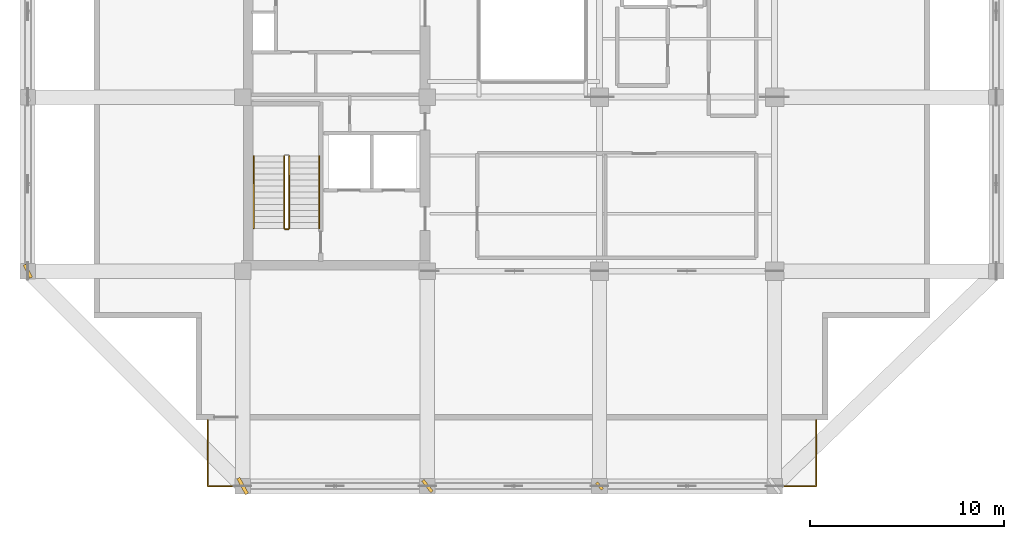
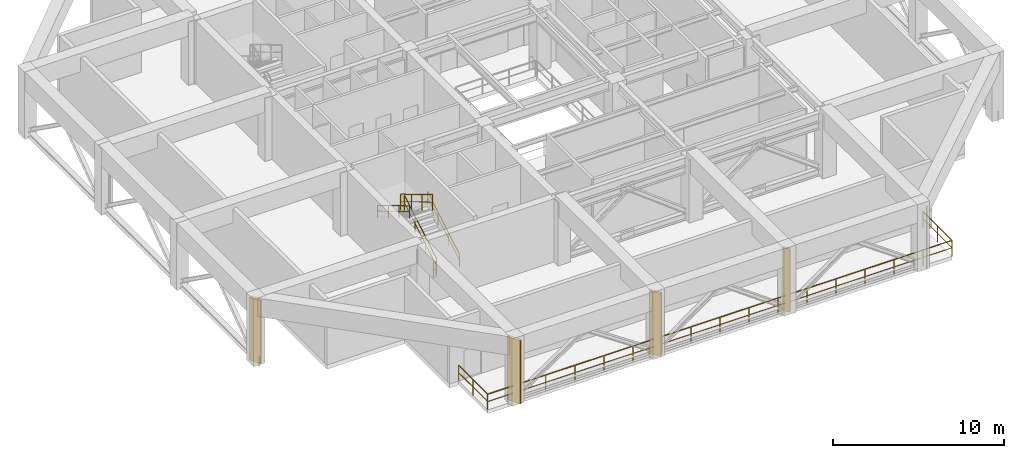
# One storey, part 7 of 10: 6 railings, 4 shading devices.
"""IFC4 building model written with IfcOpenShell, lengths in metres."""

from ifc_helpers import new_model, si_unit, direction, frame, origin, origin_2d, place, context, subcontext, project, spatial, rectangle, extrude, material, type_object, element, save


model = new_model("IFC4")

# Units and contexts
model_context = context("Model", 3, precision=1e-05, world=origin(), true_north=direction((0.0, 1.0)))
body_context = subcontext(model_context, "Body", "Model", "MODEL_VIEW")
ifc_project = project(units=[si_unit("LENGTHUNIT", "METRE"), si_unit("AREAUNIT", "SQUARE_METRE"), si_unit("VOLUMEUNIT", "CUBIC_METRE"), si_unit("PLANEANGLEUNIT", "RADIAN"), si_unit("MASSUNIT", "GRAM", prefix="KILO")], contexts=[model_context])

# Site, building, storey
site_placement = place(None, origin())
site = spatial("IfcSite", under=ifc_project, at=site_placement, CompositionType="ELEMENT")
building_placement = place(site_placement, origin())
building = spatial("IfcBuilding", under=site, at=building_placement, Name="Kundavana Baori Tower", CompositionType="ELEMENT")
storey_placement = place(building_placement, frame((0.0, 0.0, 204.10009765625)))
storey = spatial("IfcBuildingStorey", under=building, at=storey_placement, Name="L50", CompositionType="ELEMENT", Elevation=204.10009765625)

# Railings
ifc_material_1 = material(Name="Architectural Patinated Bronze Metalwork")
railing_type_1 = type_object("IfcRailingType", Name="RL-BAL-1150", PredefinedType="BALUSTRADE", material=ifc_material_1)
railing_1_placement = place(storey_placement, frame((44.949951171875, 7.60009765625, 0.0)))
element("IfcRailing", 1, at=railing_1_placement, inside=storey, type_object=railing_type_1, Name="L50 Sky Terrace Guard Balustrade S", PredefinedType="BALUSTRADE", context=body_context, shape_type="SweptSolid", body=[
    extrude(rectangle(XDim=0.048095703125, YDim=0.048095703125, at=origin_2d()), frame((0.0, 0.0, 1.1259765625), z_axis=(0.0, -1.0, 0.0), x_axis=(1.0, 0.0, 0.0)), (0.0, 0.0, 1.0), 3.400146484375),
    extrude(rectangle(XDim=0.03125, YDim=0.03125, at=origin_2d()), frame((0.0, 0.0, 0.597900390625), z_axis=(0.0, -1.0, 0.0), x_axis=(1.0, 0.0, 0.0)), (0.0, 0.0, 1.0), 3.400146484375),
    extrude(rectangle(XDim=0.048095703125, YDim=0.048095703125, at=origin_2d()), frame((0.0, -3.400146484375, 1.1259765625), z_axis=(-1.0, 0.0, 0.0), x_axis=(0.0, -1.0, 0.0)), (0.0, 0.0, 1.0), 31.300048828125),
    extrude(rectangle(XDim=0.03125, YDim=0.03125, at=origin_2d()), frame((0.0, -3.400146484375, 0.597900390625), z_axis=(-1.0, 0.0, 0.0), x_axis=(0.0, -1.0, 0.0)), (0.0, 0.0, 1.0), 31.300048828125),
    extrude(rectangle(XDim=0.048095703125, YDim=0.048095703125, at=origin_2d()), frame((-31.300048828125, -3.400146484375, 1.1259765625), z_axis=(0.0, 1.0, 0.0), x_axis=(-1.0, 0.0, 0.0)), (0.0, 0.0, 1.0), 3.400146484375),
    extrude(rectangle(XDim=0.03125, YDim=0.03125, at=origin_2d()), frame((-31.300048828125, -3.400146484375, 0.597900390625), z_axis=(0.0, 1.0, 0.0), x_axis=(-1.0, 0.0, 0.0)), (0.0, 0.0, 1.0), 3.400146484375),
    extrude(rectangle(XDim=0.0419921875, YDim=0.0419921875, at=origin_2d()), origin(), (0.0, 0.0, 1.0), 1.101806640625),
    extrude(rectangle(XDim=0.0419921875, YDim=0.0419921875, at=origin_2d()), frame((0.0, -1.7001953125, 0.0)), (0.0, 0.0, 1.0), 1.101806640625),
    extrude(rectangle(XDim=0.0419921875, YDim=0.0419921875, at=origin_2d()), frame((0.0, -3.400146484375, 0.0)), (0.0, 0.0, 1.0), 1.101806640625),
    extrude(rectangle(XDim=0.0419921875, YDim=0.0419921875, at=origin_2d()), frame((-1.956298828125, -3.400146484375, 0.0)), (0.0, 0.0, 1.0), 1.101806640625),
    extrude(rectangle(XDim=0.0419921875, YDim=0.0419921875, at=origin_2d()), frame((-3.91259765625, -3.400146484375, 0.0)), (0.0, 0.0, 1.0), 1.101806640625),
    extrude(rectangle(XDim=0.0419921875, YDim=0.0419921875, at=origin_2d()), frame((-5.86865234375, -3.400146484375, 0.0)), (0.0, 0.0, 1.0), 1.101806640625),
    extrude(rectangle(XDim=0.0419921875, YDim=0.0419921875, at=origin_2d()), frame((-7.824951171875, -3.400146484375, 0.0)), (0.0, 0.0, 1.0), 1.101806640625),
    extrude(rectangle(XDim=0.0419921875, YDim=0.0419921875, at=origin_2d()), frame((-9.78125, -3.400146484375, 0.0)), (0.0, 0.0, 1.0), 1.101806640625),
    extrude(rectangle(XDim=0.0419921875, YDim=0.0419921875, at=origin_2d()), frame((-11.737548828125, -3.400146484375, 0.0)), (0.0, 0.0, 1.0), 1.101806640625),
    extrude(rectangle(XDim=0.0419921875, YDim=0.0419921875, at=origin_2d()), frame((-13.69384765625, -3.400146484375, 0.0)), (0.0, 0.0, 1.0), 1.101806640625),
    extrude(rectangle(XDim=0.0419921875, YDim=0.0419921875, at=origin_2d()), frame((-15.64990234375, -3.400146484375, 0.0)), (0.0, 0.0, 1.0), 1.101806640625),
    extrude(rectangle(XDim=0.0419921875, YDim=0.0419921875, at=origin_2d()), frame((-17.606201171875, -3.400146484375, 0.0)), (0.0, 0.0, 1.0), 1.101806640625),
    extrude(rectangle(XDim=0.0419921875, YDim=0.0419921875, at=origin_2d()), frame((-19.5625, -3.400146484375, 0.0)), (0.0, 0.0, 1.0), 1.101806640625),
    extrude(rectangle(XDim=0.0419921875, YDim=0.0419921875, at=origin_2d()), frame((-21.518798828125, -3.400146484375, 0.0)), (0.0, 0.0, 1.0), 1.101806640625),
    extrude(rectangle(XDim=0.0419921875, YDim=0.0419921875, at=origin_2d()), frame((-23.47509765625, -3.400146484375, 0.0)), (0.0, 0.0, 1.0), 1.101806640625),
    extrude(rectangle(XDim=0.0419921875, YDim=0.0419921875, at=origin_2d()), frame((-25.431396484375, -3.400146484375, 0.0)), (0.0, 0.0, 1.0), 1.101806640625),
    extrude(rectangle(XDim=0.0419921875, YDim=0.0419921875, at=origin_2d()), frame((-27.387451171875, -3.400146484375, 0.0)), (0.0, 0.0, 1.0), 1.101806640625),
    extrude(rectangle(XDim=0.0419921875, YDim=0.0419921875, at=origin_2d()), frame((-29.34375, -3.400146484375, 0.0)), (0.0, 0.0, 1.0), 1.101806640625),
    extrude(rectangle(XDim=0.0419921875, YDim=0.0419921875, at=origin_2d()), frame((-31.300048828125, -3.400146484375, 0.0)), (0.0, 0.0, 1.0), 1.101806640625),
    extrude(rectangle(XDim=0.0419921875, YDim=0.0419921875, at=origin_2d()), frame((-31.300048828125, -1.7001953125, 0.0)), (0.0, 0.0, 1.0), 1.101806640625),
    extrude(rectangle(XDim=0.0419921875, YDim=0.0419921875, at=origin_2d()), frame((-31.300048828125, 0.0, 0.0)), (0.0, 0.0, 1.0), 1.101806640625),
])
ifc_material_2 = material(Name="Architectural Patinated Bronze Metalwork")
railing_type_2 = type_object("IfcRailingType", Name="RL-GRD-1150", PredefinedType="GUARDRAIL", material=ifc_material_2)
railing_2_placement = place(storey_placement, frame((17.840087890625, 17.449951171875, 0.1845703125)))
element("IfcRailing", 2, at=railing_2_placement, inside=storey, type_object=railing_type_2, Name="L50 ST1 stair guard 1", PredefinedType="GUARDRAIL", context=body_context, shape_type="SweptSolid", body=[
    extrude(rectangle(XDim=0.048095703125, YDim=0.048095703125, at=origin_2d()), frame((0.0, 0.0, 1.1259765625), z_axis=(0.0, 0.859184880589, 0.511665262615), x_axis=(-1.0, 0.0, 0.0)), (0.0, 0.0, 1.0), 4.32958984375),
    extrude(rectangle(XDim=0.03125, YDim=0.03125, at=origin_2d()), frame((0.0, 0.0, 0.597900390625), z_axis=(0.0, 0.859184880589, 0.511665262615), x_axis=(-1.0, 0.0, 0.0)), (0.0, 0.0, 1.0), 4.32958984375),
    extrude(rectangle(XDim=0.0419921875, YDim=0.0419921875, at=origin_2d()), origin(), (0.0, 0.0, 1.0), 1.101806640625),
    extrude(rectangle(XDim=0.0419921875, YDim=0.0419921875, at=origin_2d()), frame((0.0, 1.239990234375, 0.738525390625)), (0.0, 0.0, 1.0), 1.101806640625),
    extrude(rectangle(XDim=0.0419921875, YDim=0.0419921875, at=origin_2d()), frame((0.0, 2.47998046875, 1.476806640625)), (0.0, 0.0, 1.0), 1.101806640625),
    extrude(rectangle(XDim=0.0419921875, YDim=0.0419921875, at=origin_2d()), frame((0.0, 3.719970703125, 2.21533203125)), (0.0, 0.0, 1.0), 1.101806640625),
])
railing_3_placement = place(storey_placement, frame((17.580078125, 21.169921875, 2.58447265625)))
element("IfcRailing", 3, at=railing_3_placement, inside=storey, type_object=railing_type_2, Name="L50 ST1 stair guard 3", PredefinedType="GUARDRAIL", context=body_context, shape_type="SweptSolid", body=[
    extrude(rectangle(XDim=0.048095703125, YDim=0.048095703125, at=origin_2d()), frame((0.0, 0.0, 1.1259765625), z_axis=(0.0, -0.859184880589, 0.511665262615), x_axis=(1.0, 0.0, 0.0)), (0.0, 0.0, 1.0), 4.32958984375),
    extrude(rectangle(XDim=0.03125, YDim=0.03125, at=origin_2d()), frame((0.0, 0.0, 0.597900390625), z_axis=(0.0, -0.859184880589, 0.511665262615), x_axis=(1.0, 0.0, 0.0)), (0.0, 0.0, 1.0), 4.32958984375),
    extrude(rectangle(XDim=0.0419921875, YDim=0.0419921875, at=origin_2d()), origin(), (0.0, 0.0, 1.0), 1.101806640625),
    extrude(rectangle(XDim=0.0419921875, YDim=0.0419921875, at=origin_2d()), frame((0.0, -1.239990234375, 0.738525390625)), (0.0, 0.0, 1.0), 1.101806640625),
    extrude(rectangle(XDim=0.0419921875, YDim=0.0419921875, at=origin_2d()), frame((0.0, -2.47998046875, 1.476806640625)), (0.0, 0.0, 1.0), 1.101806640625),
    extrude(rectangle(XDim=0.0419921875, YDim=0.0419921875, at=origin_2d()), frame((0.0, -3.719970703125, 2.21533203125)), (0.0, 0.0, 1.0), 1.101806640625),
])
railing_4_placement = place(storey_placement, frame((17.7900390625, 17.39990234375, 0.0)))
element("IfcRailing", 4, at=railing_4_placement, inside=storey, type_object=railing_type_2, Name="L50 ST1 stair guard 4", PredefinedType="GUARDRAIL", context=body_context, shape_type="SweptSolid", body=[
    extrude(rectangle(XDim=0.048095703125, YDim=0.048095703125, at=origin_2d()), frame((0.0, 0.0, 1.1259765625), z_axis=(-1.0, 0.0, 0.0), x_axis=(0.0, -1.0, 0.0)), (0.0, 0.0, 1.0), 0.16015625),
    extrude(rectangle(XDim=0.03125, YDim=0.03125, at=origin_2d()), frame((0.0, 0.0, 0.597900390625), z_axis=(-1.0, 0.0, 0.0), x_axis=(0.0, -1.0, 0.0)), (0.0, 0.0, 1.0), 0.16015625),
    extrude(rectangle(XDim=0.0419921875, YDim=0.0419921875, at=origin_2d()), origin(), (0.0, 0.0, 1.0), 1.101806640625),
    extrude(rectangle(XDim=0.0419921875, YDim=0.0419921875, at=origin_2d()), frame((-0.16015625, 0.0, 0.0)), (0.0, 0.0, 1.0), 1.101806640625),
])
ifc_material_3 = material(Name="Architectural Patinated Bronze Metalwork")
railing_type_3 = type_object("IfcRailingType", Name="RL-HND-920", PredefinedType="HANDRAIL", material=ifc_material_3)
railing_5_placement = place(storey_placement, frame((19.389892578125, 17.449951171875, 0.1845703125)))
element("IfcRailing", 5, at=railing_5_placement, inside=storey, type_object=railing_type_3, Name="L50 ST1 stair handrail 1", PredefinedType="HANDRAIL", context=body_context, shape_type="SweptSolid", body=[
    extrude(rectangle(XDim=0.048095703125, YDim=0.048095703125, at=origin_2d()), frame((0.0, 0.0, 0.8759765625), z_axis=(0.0, 0.859184880589, 0.511665262615), x_axis=(-1.0, 0.0, 0.0)), (0.0, 0.0, 1.0), 4.32958984375),
    extrude(rectangle(XDim=0.03125, YDim=0.03125, at=origin_2d()), frame((0.0, 0.0, 0.468017578125), z_axis=(0.0, 0.859184880589, 0.511665262615), x_axis=(-1.0, 0.0, 0.0)), (0.0, 0.0, 1.0), 4.32958984375),
    extrude(rectangle(XDim=0.0419921875, YDim=0.0419921875, at=origin_2d()), origin(), (0.0, 0.0, 1.0), 0.851806640625),
    extrude(rectangle(XDim=0.0419921875, YDim=0.0419921875, at=origin_2d()), frame((0.0, 1.239990234375, 0.738525390625)), (0.0, 0.0, 1.0), 0.851806640625),
    extrude(rectangle(XDim=0.0419921875, YDim=0.0419921875, at=origin_2d()), frame((0.0, 2.47998046875, 1.476806640625)), (0.0, 0.0, 1.0), 0.851806640625),
    extrude(rectangle(XDim=0.0419921875, YDim=0.0419921875, at=origin_2d()), frame((0.0, 3.719970703125, 2.21533203125)), (0.0, 0.0, 1.0), 0.851806640625),
])
railing_6_placement = place(storey_placement, frame((16.030029296875, 21.169921875, 2.58447265625)))
element("IfcRailing", 6, at=railing_6_placement, inside=storey, type_object=railing_type_3, Name="L50 ST1 stair handrail 2", PredefinedType="HANDRAIL", context=body_context, shape_type="SweptSolid", body=[
    extrude(rectangle(XDim=0.048095703125, YDim=0.048095703125, at=origin_2d()), frame((0.0, 0.0, 0.8759765625), z_axis=(0.0, -0.859184880589, 0.511665262615), x_axis=(1.0, 0.0, 0.0)), (0.0, 0.0, 1.0), 4.32958984375),
    extrude(rectangle(XDim=0.03125, YDim=0.03125, at=origin_2d()), frame((0.0, 0.0, 0.468017578125), z_axis=(0.0, -0.859184880589, 0.511665262615), x_axis=(1.0, 0.0, 0.0)), (0.0, 0.0, 1.0), 4.32958984375),
    extrude(rectangle(XDim=0.0419921875, YDim=0.0419921875, at=origin_2d()), origin(), (0.0, 0.0, 1.0), 0.851806640625),
    extrude(rectangle(XDim=0.0419921875, YDim=0.0419921875, at=origin_2d()), frame((0.0, -1.239990234375, 0.738525390625)), (0.0, 0.0, 1.0), 0.851806640625),
    extrude(rectangle(XDim=0.0419921875, YDim=0.0419921875, at=origin_2d()), frame((0.0, -2.47998046875, 1.476806640625)), (0.0, 0.0, 1.0), 0.851806640625),
    extrude(rectangle(XDim=0.0419921875, YDim=0.0419921875, at=origin_2d()), frame((0.0, -3.719970703125, 2.21533203125)), (0.0, 0.0, 1.0), 0.851806640625),
])

# Shading devices
ifc_material_4 = material(Name="Red-Buff Dholpur Sandstone Cladding on Concrete C40/50", Category="masonry")
shading_device_type_1 = type_object("IfcShadingDeviceType", Name="SHD-FIN-750", PredefinedType="JALOUSIE", material=ifc_material_4)
for number, where, z_axis, x_axis, name in (
    (7, (24.949951171875, 4.199951171875, 0.0), (0.0, 0.0, 1.0), (0.78736560246, 0.616486340532, 0.0), "L50 Sweeping Dholpur Sandstone Facade Fin 2"),
    (8, (4.39990234375, 15.25, 0.0), (0.0, 0.0, 1.0), (0.889974159838, 0.456010959102, 0.0), "L50 Sweeping Dholpur Sandstone Facade Fin 5"),
):
    element("IfcShadingDevice", number, at=place(storey_placement, frame(where, z_axis=z_axis, x_axis=x_axis)), inside=storey, type_object=shading_device_type_1, Name=name, PredefinedType="JALOUSIE", context=body_context, shape_type="SweptSolid", body=[
        extrude(rectangle(XDim=0.159912109375, YDim=0.75, at=origin_2d()), origin(), (0.0, 0.0, 1.0), 4.5),
    ])
ifc_material_5 = material(Name="Red-Buff Dholpur Sandstone Cladding on Concrete C40/50", Category="masonry")
shading_device_type_2 = type_object("IfcShadingDeviceType", Name="SHD-FIN-920", PredefinedType="JALOUSIE", material=ifc_material_5)
shading_device_1_placement = place(storey_placement, frame((15.449951171875, 4.199951171875, 0.0), z_axis=(0.0, 0.0, 1.0), x_axis=(0.878150016915, 0.478385354909, 0.0)))
element("IfcShadingDevice", 9, at=shading_device_1_placement, inside=storey, type_object=shading_device_type_2, Name="L50 Sweeping Dholpur Sandstone Facade Fin 1", PredefinedType="JALOUSIE", context=body_context, shape_type="SweptSolid", body=[
    extrude(rectangle(XDim=0.179931640625, YDim=0.919921875, at=origin_2d()), origin(), (0.0, 0.0, 1.0), 4.5),
])
ifc_material_6 = material(Name="Architectural Patinated Bronze Metalwork")
shading_device_type_3 = type_object("IfcShadingDeviceType", Name="SHD-LOUV-450", PredefinedType="SHUTTER", material=ifc_material_6)
shading_device_2_placement = place(storey_placement, frame((33.800048828125, 4.199951171875, 0.0), z_axis=(0.0, 0.0, 1.0), x_axis=(0.743495079559, 0.668741404933, 0.0)))
element("IfcShadingDevice", 10, at=shading_device_2_placement, inside=storey, type_object=shading_device_type_3, Name="L50 Sweeping Dholpur Sandstone Facade Fin 3", PredefinedType="SHUTTER", context=body_context, shape_type="SweptSolid", body=[
    extrude(rectangle(XDim=0.139892578125, YDim=0.449951171875, at=origin_2d()), origin(), (0.0, 0.0, 1.0), 4.5),
])

save(model, "model.ifc")
